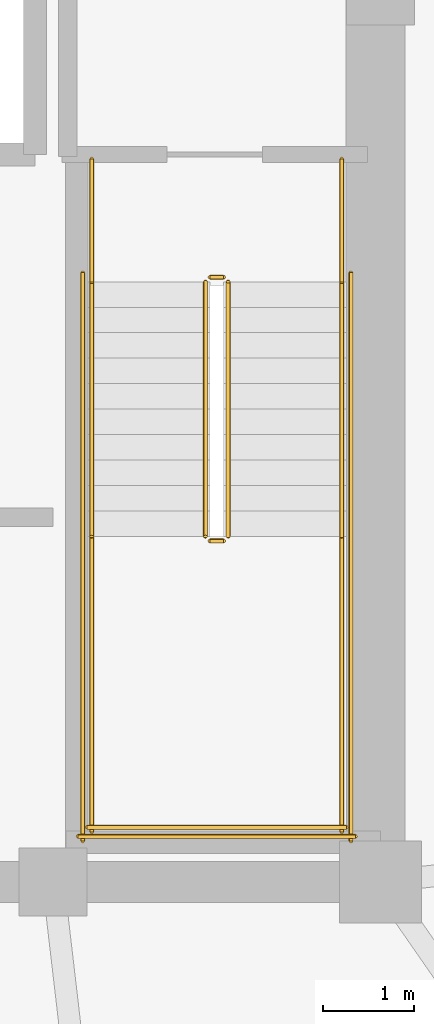
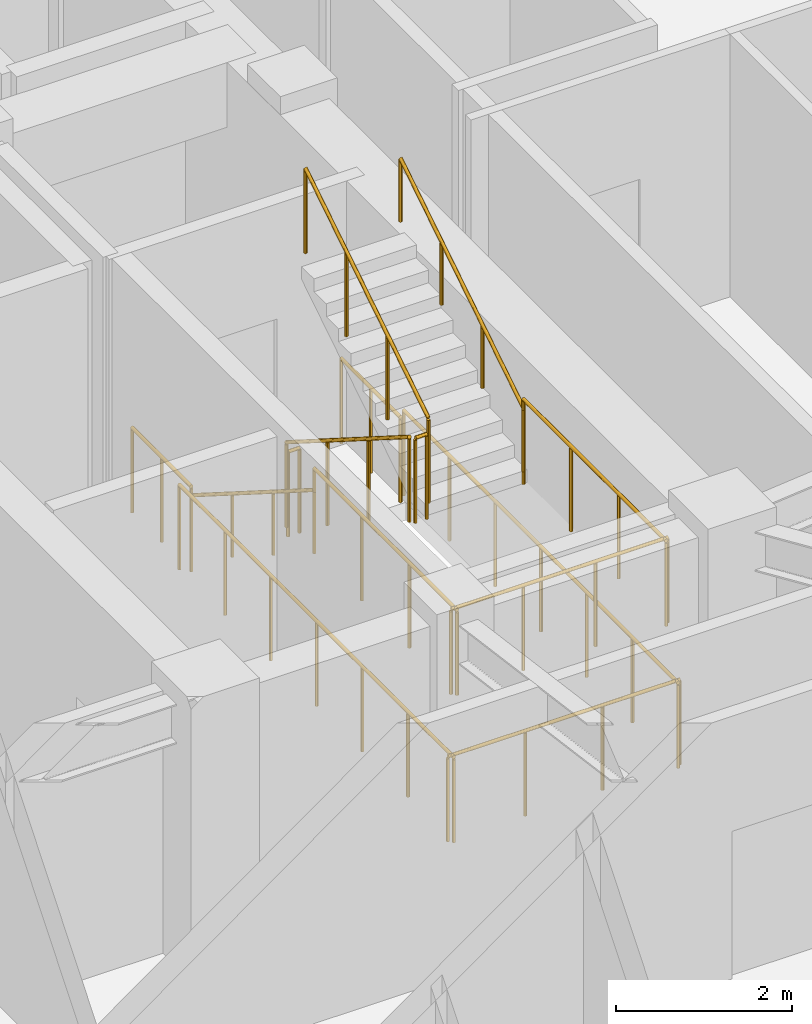
# One storey, part 11 of 11: 14 railings.
"""IFC4 building model written with IfcOpenShell, lengths in metres."""

from ifc_helpers import new_model, si_unit, direction, frame, origin, origin_2d, place, context, subcontext, project, spatial, circle, extrude, material, type_object, element, save


model = new_model("IFC4")

# Units and contexts
model_context = context("Model", 3, precision=1e-05, world=origin(), true_north=direction((0.0, 1.0)))
body_context = subcontext(model_context, "Body", "Model", "MODEL_VIEW")
ifc_project = project(units=[si_unit("LENGTHUNIT", "METRE"), si_unit("AREAUNIT", "SQUARE_METRE"), si_unit("VOLUMEUNIT", "CUBIC_METRE"), si_unit("PLANEANGLEUNIT", "RADIAN"), si_unit("MASSUNIT", "GRAM", prefix="KILO")], contexts=[model_context])

# Site, building, storey
site_placement = place(None, origin())
site = spatial("IfcSite", under=ifc_project, at=site_placement, CompositionType="ELEMENT")
building_placement = place(site_placement, origin())
building = spatial("IfcBuilding", under=site, at=building_placement, Name="Voryun Gate Residences", CompositionType="ELEMENT")
storey_placement = place(building_placement, frame((0.0, 0.0, 215.800048828125)))
storey = spatial("IfcBuildingStorey", under=building, at=storey_placement, Name="L53", CompositionType="ELEMENT", Elevation=215.800048828125)

# Railings
ifc_material_1 = material(Name="Painted steel", Category="steel")
railing_type_1 = type_object("IfcRailingType", Name="RAIL_STAIR_GUARD_1200", PredefinedType="GUARDRAIL", material=ifc_material_1)
railing_1_placement = place(storey_placement, frame((17.27490234375, -0.800048828125, 0.17724609375)))
element("IfcRailing", 1, at=railing_1_placement, inside=storey, type_object=railing_type_1, Name="L53 ST-E1 stair guard 1", PredefinedType="GUARDRAIL", context=body_context, shape_type="SweptSolid", body=[
    extrude(circle(Radius=0.02392578125, at=origin_2d()), frame((0.0, 0.0, 1.17578125), z_axis=(0.0, -0.844908973607, 0.534910110503), x_axis=(1.0, 0.0, 0.0)), (0.0, 0.0, 1.0), 3.31396484375),
    extrude(circle(Radius=0.02099609375, at=origin_2d()), origin(), (0.0, 0.0, 1.0), 1.15185546875),
    extrude(circle(Radius=0.02099609375, at=origin_2d()), frame((0.0, -0.933349609375, 0.5908203125)), (0.0, 0.0, 1.0), 1.15185546875),
    extrude(circle(Radius=0.02099609375, at=origin_2d()), frame((0.0, -1.86669921875, 1.181884765625)), (0.0, 0.0, 1.0), 1.15185546875),
    extrude(circle(Radius=0.02099609375, at=origin_2d()), frame((0.0, -2.800048828125, 1.772705078125)), (0.0, 0.0, 1.0), 1.15185546875),
])
railing_2_placement = place(storey_placement, frame((17.324951171875, -3.64990234375, 1.949951171875)))
element("IfcRailing", 2, at=railing_2_placement, inside=storey, type_object=railing_type_1, Name="L53 ST-E1 stair guard 2", PredefinedType="GUARDRAIL", context=body_context, shape_type="SweptSolid", body=[
    extrude(circle(Radius=0.02392578125, at=origin_2d()), frame((0.0, 0.0, 1.17578125), z_axis=(1.0, 0.0, 0.0), x_axis=(0.0, 1.0, 0.0)), (0.0, 0.0, 1.0), 0.150146484375),
    extrude(circle(Radius=0.02099609375, at=origin_2d()), origin(), (0.0, 0.0, 1.0), 1.15185546875),
    extrude(circle(Radius=0.02099609375, at=origin_2d()), frame((0.150146484375, 0.0, 0.0)), (0.0, 0.0, 1.0), 1.15185546875),
])
for number, where, name in (
    (3, (16.02490234375, -3.60009765625, 1.949951171875), "L53 ST-E1 stair guard 3"),
    (4, (18.77490234375, -3.60009765625, 1.949951171875), "L53 ST-E1 stair guard 4"),
):
    element("IfcRailing", number, at=place(storey_placement, frame(where)), inside=storey, type_object=railing_type_1, Name=name, PredefinedType="GUARDRAIL", context=body_context, shape_type="SweptSolid", body=[
        extrude(circle(Radius=0.02392578125, at=origin_2d()), frame((0.0, 0.0, 1.17578125), z_axis=(0.0, -1.0, 0.0), x_axis=(1.0, 0.0, 0.0)), (0.0, 0.0, 1.0), 3.25),
        extrude(circle(Radius=0.02099609375, at=origin_2d()), origin(), (0.0, 0.0, 1.0), 1.15185546875),
        extrude(circle(Radius=0.02099609375, at=origin_2d()), frame((0.0, -1.083251953125, 0.0)), (0.0, 0.0, 1.0), 1.15185546875),
        extrude(circle(Radius=0.02099609375, at=origin_2d()), frame((0.0, -2.166748046875, 0.0)), (0.0, 0.0, 1.0), 1.15185546875),
        extrude(circle(Radius=0.02099609375, at=origin_2d()), frame((0.0, -3.25, 0.0)), (0.0, 0.0, 1.0), 1.15185546875),
    ])
railing_3_placement = place(storey_placement, frame((15.97509765625, -6.800048828125, 1.949951171875)))
element("IfcRailing", 5, at=railing_3_placement, inside=storey, type_object=railing_type_1, Name="L53 ST-E1 stair guard 5", PredefinedType="GUARDRAIL", context=body_context, shape_type="SweptSolid", body=[
    extrude(circle(Radius=0.02392578125, at=origin_2d()), frame((0.0, 0.0, 1.17578125), z_axis=(1.0, 0.0, 0.0), x_axis=(0.0, 1.0, 0.0)), (0.0, 0.0, 1.0), 2.849853515625),
    extrude(circle(Radius=0.02099609375, at=origin_2d()), origin(), (0.0, 0.0, 1.0), 1.15185546875),
    extrude(circle(Radius=0.02099609375, at=origin_2d()), frame((0.949951171875, 0.0, 0.0)), (0.0, 0.0, 1.0), 1.15185546875),
    extrude(circle(Radius=0.02099609375, at=origin_2d()), frame((1.89990234375, 0.0, 0.0)), (0.0, 0.0, 1.0), 1.15185546875),
    extrude(circle(Radius=0.02099609375, at=origin_2d()), frame((2.849853515625, 0.0, 0.0)), (0.0, 0.0, 1.0), 1.15185546875),
])
railing_4_placement = place(storey_placement, frame((17.52490234375, -3.60009765625, 2.127197265625)))
element("IfcRailing", 6, at=railing_4_placement, inside=storey, type_object=railing_type_1, Name="L53 ST-E1 stair guard 6", PredefinedType="GUARDRAIL", context=body_context, shape_type="SweptSolid", body=[
    extrude(circle(Radius=0.02392578125, at=origin_2d()), frame((0.0, 0.0, 1.17578125), z_axis=(0.0, 0.844908973607, 0.534910110503), x_axis=(-1.0, 0.0, 0.0)), (0.0, 0.0, 1.0), 3.31396484375),
    extrude(circle(Radius=0.02099609375, at=origin_2d()), origin(), (0.0, 0.0, 1.0), 1.15185546875),
    extrude(circle(Radius=0.02099609375, at=origin_2d()), frame((0.0, 0.933349609375, 0.5908203125)), (0.0, 0.0, 1.0), 1.15185546875),
    extrude(circle(Radius=0.02099609375, at=origin_2d()), frame((0.0, 1.86669921875, 1.181884765625)), (0.0, 0.0, 1.0), 1.15185546875),
    extrude(circle(Radius=0.02099609375, at=origin_2d()), frame((0.0, 2.800048828125, 1.772705078125)), (0.0, 0.0, 1.0), 1.15185546875),
])
railing_5_placement = place(storey_placement, frame((17.324951171875, -0.75, 0.0)))
element("IfcRailing", 7, at=railing_5_placement, inside=storey, type_object=railing_type_1, Name="L53 ST-E1 stair guard 7", PredefinedType="GUARDRAIL", context=body_context, shape_type="SweptSolid", body=[
    extrude(circle(Radius=0.02392578125, at=origin_2d()), frame((0.0, 0.0, 1.17578125), z_axis=(1.0, 0.0, 0.0), x_axis=(0.0, 1.0, 0.0)), (0.0, 0.0, 1.0), 0.150146484375),
    extrude(circle(Radius=0.02099609375, at=origin_2d()), origin(), (0.0, 0.0, 1.0), 1.15185546875),
    extrude(circle(Radius=0.02099609375, at=origin_2d()), frame((0.150146484375, 0.0, 0.0)), (0.0, 0.0, 1.0), 1.15185546875),
])
for number, where, name in (
    (8, (16.02490234375, 0.550048828125, 0.0), "L53 ST-E1 stair guard 8"),
    (9, (18.77490234375, 0.550048828125, 0.0), "L53 ST-E1 stair guard 9"),
):
    element("IfcRailing", number, at=place(storey_placement, frame(where)), inside=storey, type_object=railing_type_1, Name=name, PredefinedType="GUARDRAIL", context=body_context, shape_type="SweptSolid", body=[
        extrude(circle(Radius=0.02392578125, at=origin_2d()), frame((0.0, 0.0, 1.17578125), z_axis=(0.0, -1.0, 0.0), x_axis=(1.0, 0.0, 0.0)), (0.0, 0.0, 1.0), 1.35009765625),
        extrude(circle(Radius=0.02099609375, at=origin_2d()), origin(), (0.0, 0.0, 1.0), 1.15185546875),
        extrude(circle(Radius=0.02099609375, at=origin_2d()), frame((0.0, -0.675048828125, 0.0)), (0.0, 0.0, 1.0), 1.15185546875),
        extrude(circle(Radius=0.02099609375, at=origin_2d()), frame((0.0, -1.35009765625, 0.0)), (0.0, 0.0, 1.0), 1.15185546875),
    ])
for number, where, name in (
    (10, (15.925048828125, -0.699951171875, 0.0), "L53 ST-E1 stair guard 10"),
    (11, (18.875, -0.699951171875, 0.0), "L53 ST-E1 stair guard 11"),
):
    element("IfcRailing", number, at=place(storey_placement, frame(where)), inside=storey, type_object=railing_type_1, Name=name, PredefinedType="GUARDRAIL", context=body_context, shape_type="SweptSolid", body=[
        extrude(circle(Radius=0.02392578125, at=origin_2d()), frame((0.0, 0.0, 1.17578125), z_axis=(0.0, -1.0, 0.0), x_axis=(1.0, 0.0, 0.0)), (0.0, 0.0, 1.0), 6.25),
        extrude(circle(Radius=0.02099609375, at=origin_2d()), origin(), (0.0, 0.0, 1.0), 1.15185546875),
        extrude(circle(Radius=0.02099609375, at=origin_2d()), frame((0.0, -1.041748046875, 0.0)), (0.0, 0.0, 1.0), 1.15185546875),
        extrude(circle(Radius=0.02099609375, at=origin_2d()), frame((0.0, -2.083251953125, 0.0)), (0.0, 0.0, 1.0), 1.15185546875),
        extrude(circle(Radius=0.02099609375, at=origin_2d()), frame((0.0, -3.125, 0.0)), (0.0, 0.0, 1.0), 1.15185546875),
        extrude(circle(Radius=0.02099609375, at=origin_2d()), frame((0.0, -4.166748046875, 0.0)), (0.0, 0.0, 1.0), 1.15185546875),
        extrude(circle(Radius=0.02099609375, at=origin_2d()), frame((0.0, -5.208251953125, 0.0)), (0.0, 0.0, 1.0), 1.15185546875),
        extrude(circle(Radius=0.02099609375, at=origin_2d()), frame((0.0, -6.25, 0.0)), (0.0, 0.0, 1.0), 1.15185546875),
    ])
railing_6_placement = place(storey_placement, frame((15.875, -6.89990234375, 0.0)))
element("IfcRailing", 12, at=railing_6_placement, inside=storey, type_object=railing_type_1, Name="L53 ST-E1 stair guard 12", PredefinedType="GUARDRAIL", context=body_context, shape_type="SweptSolid", body=[
    extrude(circle(Radius=0.02392578125, at=origin_2d()), frame((0.0, 0.0, 1.17578125), z_axis=(1.0, 0.0, 0.0), x_axis=(0.0, 1.0, 0.0)), (0.0, 0.0, 1.0), 3.050048828125),
    extrude(circle(Radius=0.02099609375, at=origin_2d()), origin(), (0.0, 0.0, 1.0), 1.15185546875),
    extrude(circle(Radius=0.02099609375, at=origin_2d()), frame((1.0166015625, 0.0, 0.0)), (0.0, 0.0, 1.0), 1.15185546875),
    extrude(circle(Radius=0.02099609375, at=origin_2d()), frame((2.033447265625, 0.0, 0.0)), (0.0, 0.0, 1.0), 1.15185546875),
    extrude(circle(Radius=0.02099609375, at=origin_2d()), frame((3.050048828125, 0.0, 0.0)), (0.0, 0.0, 1.0), 1.15185546875),
])
ifc_material_2 = material(Name="Painted steel", Category="steel")
railing_type_2 = type_object("IfcRailingType", Name="RAIL_STAIR_HANDRAIL_900", PredefinedType="HANDRAIL", material=ifc_material_2)
railing_7_placement = place(storey_placement, frame((16.02490234375, -0.800048828125, 0.17724609375)))
element("IfcRailing", 13, at=railing_7_placement, inside=storey, type_object=railing_type_2, Name="L53 ST-E1 stair handrail 1", PredefinedType="HANDRAIL", context=body_context, shape_type="SweptSolid", body=[
    extrude(circle(Radius=0.02392578125, at=origin_2d()), frame((0.0, 0.0, 0.8759765625), z_axis=(0.0, -0.844908973607, 0.534910110503), x_axis=(1.0, 0.0, 0.0)), (0.0, 0.0, 1.0), 3.31396484375),
    extrude(circle(Radius=0.02099609375, at=origin_2d()), origin(), (0.0, 0.0, 1.0), 0.851806640625),
    extrude(circle(Radius=0.02099609375, at=origin_2d()), frame((0.0, -0.933349609375, 0.5908203125)), (0.0, 0.0, 1.0), 0.851806640625),
    extrude(circle(Radius=0.02099609375, at=origin_2d()), frame((0.0, -1.86669921875, 1.181884765625)), (0.0, 0.0, 1.0), 0.851806640625),
    extrude(circle(Radius=0.02099609375, at=origin_2d()), frame((0.0, -2.800048828125, 1.772705078125)), (0.0, 0.0, 1.0), 0.851806640625),
])
railing_8_placement = place(storey_placement, frame((18.77490234375, -3.60009765625, 2.127197265625)))
element("IfcRailing", 14, at=railing_8_placement, inside=storey, type_object=railing_type_2, Name="L53 ST-E1 stair handrail 2", PredefinedType="HANDRAIL", context=body_context, shape_type="SweptSolid", body=[
    extrude(circle(Radius=0.02392578125, at=origin_2d()), frame((0.0, 0.0, 0.8759765625), z_axis=(0.0, 0.844908973607, 0.534910110503), x_axis=(-1.0, 0.0, 0.0)), (0.0, 0.0, 1.0), 3.31396484375),
    extrude(circle(Radius=0.02099609375, at=origin_2d()), origin(), (0.0, 0.0, 1.0), 0.851806640625),
    extrude(circle(Radius=0.02099609375, at=origin_2d()), frame((0.0, 0.933349609375, 0.5908203125)), (0.0, 0.0, 1.0), 0.851806640625),
    extrude(circle(Radius=0.02099609375, at=origin_2d()), frame((0.0, 1.86669921875, 1.181884765625)), (0.0, 0.0, 1.0), 0.851806640625),
    extrude(circle(Radius=0.02099609375, at=origin_2d()), frame((0.0, 2.800048828125, 1.772705078125)), (0.0, 0.0, 1.0), 0.851806640625),
])

save(model, "model.ifc")
